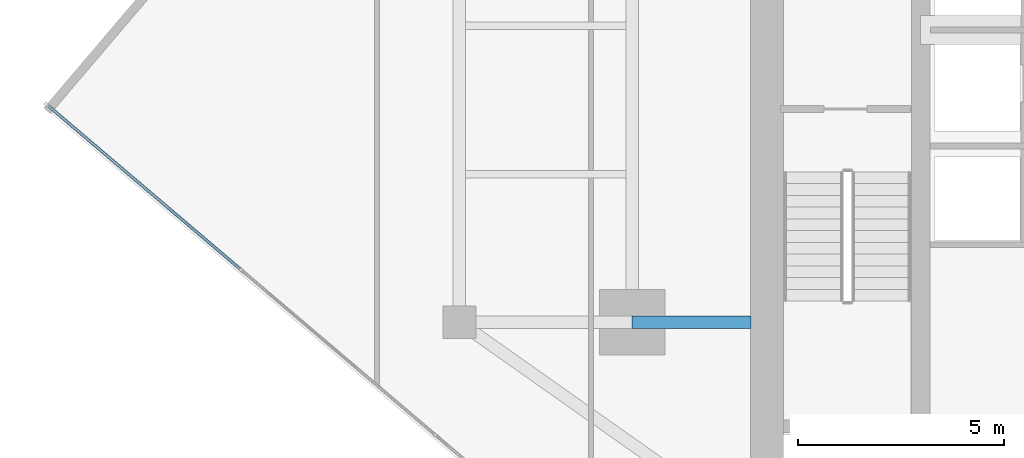
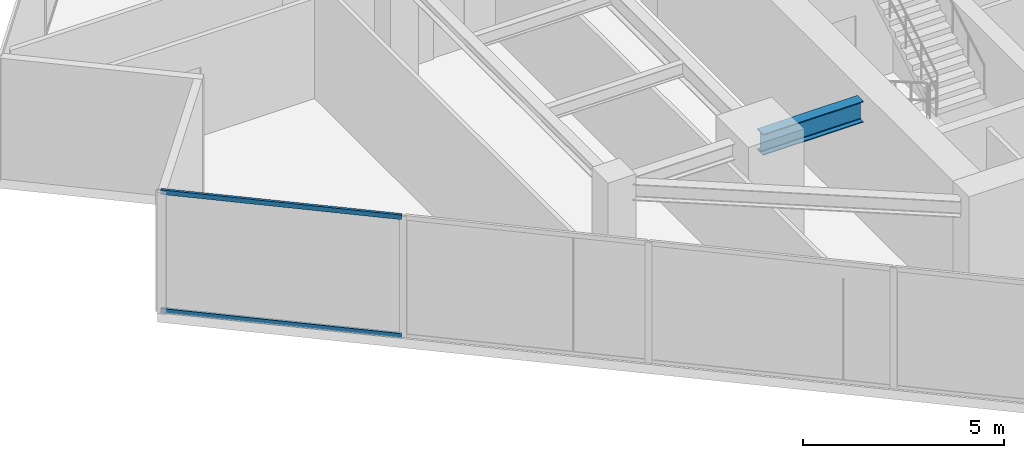
# One storey, part 5 of 25: 2 members, 1 beam, 1 element without a shape of its own.
"""IFC4 building model written with IfcOpenShell, lengths in metres."""

from ifc_helpers import new_model, si_unit, direction, frame, origin, origin_2d, place, context, subcontext, project, spatial, hollow_rectangle, i_section, extrude, source, transform, mapped, material, material_profile, profile_set, type_object, type_shapes, element, aggregate, save


model = new_model("IFC4")

# Units and contexts
model_context = context("Model", 3, precision=1e-05, world=origin(), true_north=direction((0.0, 1.0)))
body_context = subcontext(model_context, "Body", "Model", "MODEL_VIEW")
ifc_project = project(units=[si_unit("LENGTHUNIT", "METRE"), si_unit("AREAUNIT", "SQUARE_METRE"), si_unit("VOLUMEUNIT", "CUBIC_METRE"), si_unit("PLANEANGLEUNIT", "RADIAN"), si_unit("MASSUNIT", "GRAM", prefix="KILO")], contexts=[model_context])

# Site, building, storey
site_placement = place(None, origin())
site = spatial("IfcSite", under=ifc_project, at=site_placement, CompositionType="ELEMENT")
building_placement = place(site_placement, origin())
building = spatial("IfcBuilding", under=site, at=building_placement, Name="Krantzveldt Concourse Tower", CompositionType="ELEMENT")
storey_placement = place(building_placement, frame((0.0, 0.0, 211.25)))
storey = spatial("IfcBuildingStorey", under=building, at=storey_placement, Name="L51", CompositionType="ELEMENT", Elevation=211.25)

# Beam
ifc_material_1 = material(Name="Steel S355JR", Category="steel")
ifc_material_profile_1 = material_profile(ifc_material_1, i_section(OverallWidth=0.300048828125, OverallDepth=0.639892578125, WebThickness=0.013427734375, FlangeThickness=0.02587890625, FilletRadius=0.027099609375, at=origin_2d()), Name="Steel S355JR", Category="steel")
ifc_profile_set_1 = profile_set([ifc_material_profile_1], Name="Steel S355JR - HEA 650")
beam_type = type_object("IfcBeamType", Name="BM-B-HEA650", PredefinedType="BEAM", material=ifc_profile_set_1)
shared_shape_1 = source(origin(), body_context, "Body", "SweptSolid", [
    extrude(i_section(OverallWidth=0.300048828125, OverallDepth=0.639892578125, WebThickness=0.013427734375, FlangeThickness=0.02587890625, FilletRadius=0.027099609375, at=origin_2d()), origin(), (0.0, 0.0, 1.0), 2.880126953125),
])
type_shapes(beam_type, [shared_shape_1])
beam_placement = place(storey_placement, frame((25.199951171875, 15.89990234375, 3.35009765625), z_axis=(1.0, 0.0, 0.0), x_axis=(0.0, 1.0, 0.0)))
element("IfcBeam", 1, at=beam_placement, inside=storey, type_object=beam_type, Name="L51 Tower Girder BG-CW1", PredefinedType="BEAM", context=body_context, shape_type="MappedRepresentation", body=[
    mapped(shared_shape_1, transform((0.0, 0.0, 0.0), x_axis=(1.0, 0.0, 0.0), y_axis=(0.0, 1.0, 0.0), z_axis=(0.0, 0.0, 1.0), scale=1.0)),
])

# Curtain wall, members
ifc_material_2 = material(Name="Anodised aluminium 6063-T6", Category="aluminium")
curtain_wall_type = type_object("IfcCurtainWallType", Name="CW3", PredefinedType="USERDEFINED", material=ifc_material_2)
curtain_wall_placement = place(storey_placement, origin())
curtain_wall = element("IfcCurtainWall", 2, at=curtain_wall_placement, inside=storey, type_object=curtain_wall_type, Name="CW-L51-F04", ObjectType="UNITISED CURTAIN WALL", PredefinedType="USERDEFINED")
ifc_material_profile_2 = material_profile(ifc_material_2, hollow_rectangle(XDim=0.070068359375, YDim=0.139892578125, WallThickness=0.0048828125, at=origin_2d()), Name="Anodised aluminium 6063-T6", Category="aluminium")
ifc_profile_set_2 = profile_set([ifc_material_profile_2], Name="Anodised aluminium 6063-T6 - ALU-TRAN 140x70x5")
member_type = type_object("IfcMemberType", Name="CW-TRN-150", PredefinedType="USERDEFINED", material=ifc_profile_set_2)
shared_shape_2 = source(origin(), body_context, "Body", "SweptSolid", [
    extrude(hollow_rectangle(XDim=0.070068359375, YDim=0.139892578125, WallThickness=0.0048828125, at=origin_2d()), origin(), (0.0, 0.0, 1.0), 6.094970703125),
])
type_shapes(member_type, [shared_shape_2])
member_1_placement = place(storey_placement, frame((11.023681640625, 21.146484375, 0.034912109375), z_axis=(0.761823672468, -0.64778444877, 0.0), x_axis=(0.64778444877, 0.761823672468, 0.0)))
member_1 = element("IfcMember", 3, at=member_1_placement, type_object=member_type, Name="CW-Z34 transom 1.1", ObjectType="TRANSOM", PredefinedType="USERDEFINED", context=body_context, shape_type="MappedRepresentation", body=[
    mapped(shared_shape_2, transform((0.0, 0.0, 0.0), x_axis=(1.0, 0.0, 0.0), y_axis=(0.0, 1.0, 0.0), z_axis=(0.0, 0.0, 1.0), scale=1.0)),
])
member_2_placement = place(storey_placement, frame((11.023681640625, 21.146484375, 3.635009765625), z_axis=(0.761823672468, -0.64778444877, 0.0), x_axis=(0.64778444877, 0.761823672468, 0.0)))
member_2 = element("IfcMember", 4, at=member_2_placement, type_object=member_type, Name="CW-Z34 transom 1.2", ObjectType="TRANSOM", PredefinedType="USERDEFINED", context=body_context, shape_type="MappedRepresentation", body=[
    mapped(shared_shape_2, transform((0.0, 0.0, 0.0), x_axis=(1.0, 0.0, 0.0), y_axis=(0.0, 1.0, 0.0), z_axis=(0.0, 0.0, 1.0), scale=1.0)),
])
aggregate(curtain_wall, [member_1, member_2])

save(model, "model.ifc")
